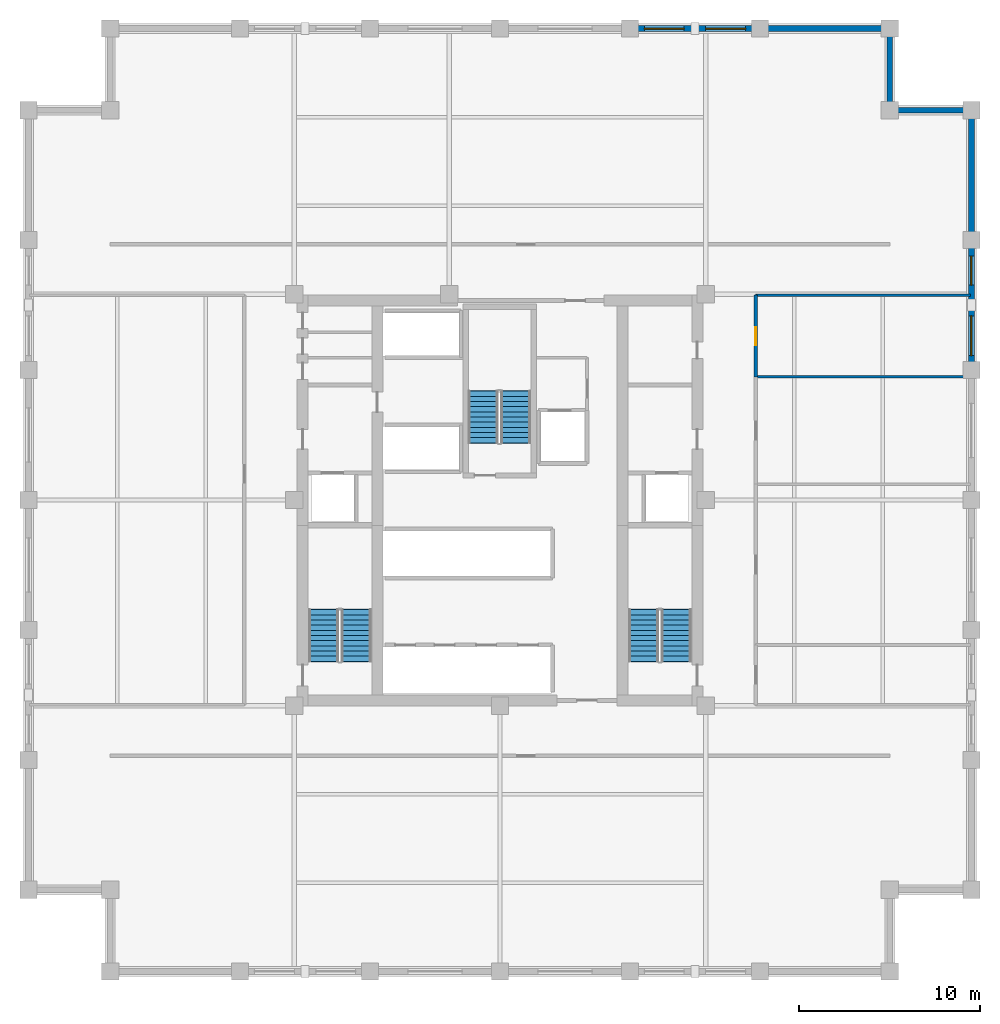
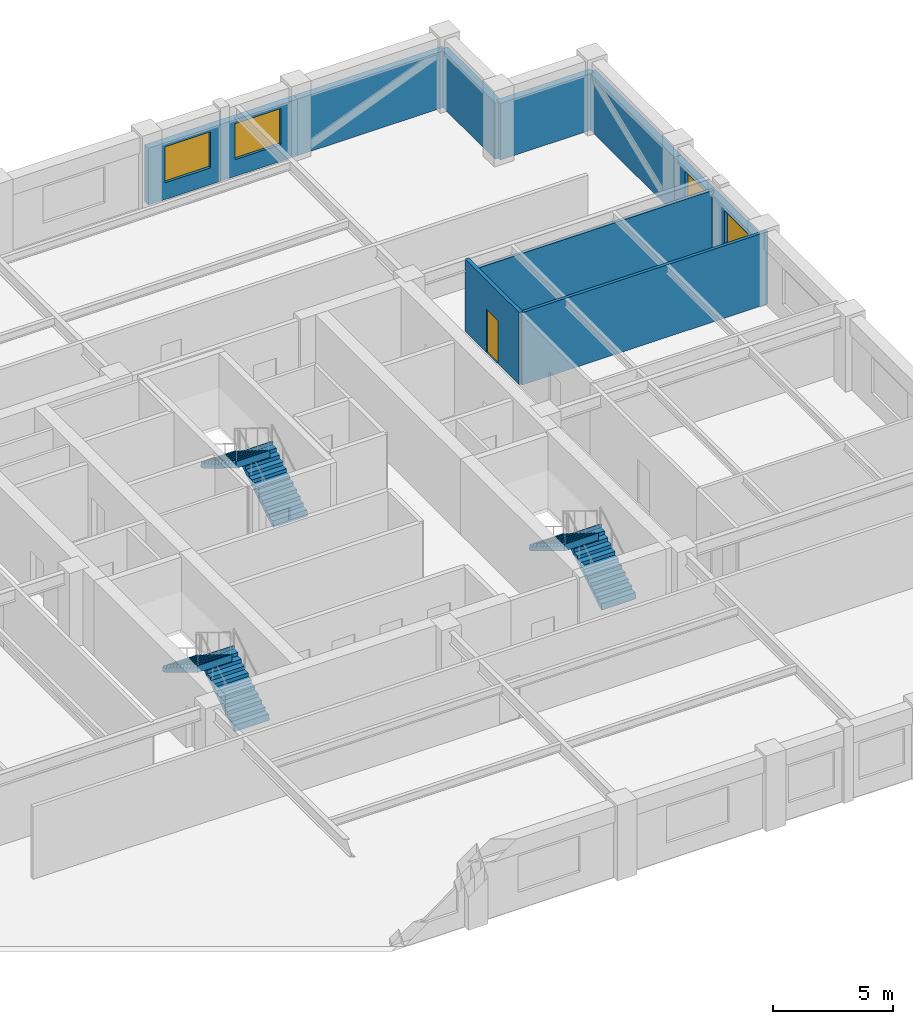
# One storey, part 5 of 6: 9 walls, 6 stair flights, 4 windows, 1 door, 5 openings, 3 elements without a shape of their own.
"""IFC4 building model written with IfcOpenShell, lengths in metres."""

import ifcopenshell
import ifcopenshell.guid

model = None  # the IFC model being written
_history = None  # IfcOwnerHistory: only IFC2X3 demands one
_inside = {}  # id of a spatial element -> (the spatial element, [elements in it])
_under = {}  # id of a project, library or spatial element -> (it, [spatial elements below it])
_declared = {}  # id of a project -> (the project, [libraries it declares])
_typed = {}  # id of a type object -> (the type object, [elements of that type])
_made_of = {}  # id of a material, layer set ... -> (it, [elements and type objects made of it])


def new_model(schema):
    """Start an empty IFC model of exactly this schema.

    Asked for "IFC4X3", IfcOpenShell would pick the latest addendum, in which some entities
    have other attributes; the version numbers below select the first issue.
    IFC2X3 requires an IfcOwnerHistory on every rooted entity: one is made here for all.
    """
    global model, _history
    if schema == "IFC4X3":
        model = ifcopenshell.file(schema_version=(4, 3, 0, 0))
    else:
        model = ifcopenshell.file(schema=schema)
    _inside.clear()
    _under.clear()
    _declared.clear()
    _typed.clear()
    _made_of.clear()
    _history = None
    if model.schema == "IFC2X3":
        org = make("IfcOrganization", Name="unknown")
        user = make(
            "IfcPersonAndOrganization",
            ThePerson=make("IfcPerson", FamilyName="unknown"),
            TheOrganization=org,
        )
        app = make(
            "IfcApplication",
            ApplicationDeveloper=org,
            Version="unknown",
            ApplicationFullName="unknown",
            ApplicationIdentifier="unknown",
        )
        _history = make(
            "IfcOwnerHistory",
            OwningUser=user,
            OwningApplication=app,
            ChangeAction="ADDED",
            CreationDate=0,
        )
    return model


def make(cls, **values):
    """One entity of the class cls with the attributes given. An attribute that is None is left unset."""
    return model.create_entity(
        cls, **{name: value for name, value in values.items() if value is not None}
    )


def rooted(cls, **values):
    """An entity with a GlobalId (a new one), such as an element, a storey or a relation."""
    return make(cls, GlobalId=ifcopenshell.guid.new(), OwnerHistory=_history, **values)


def si_unit(unit_type, name, prefix=None):
    """IfcSIUnit, for example si_unit("LENGTHUNIT", "METRE", prefix="MILLI")."""
    return make("IfcSIUnit", UnitType=unit_type, Prefix=prefix, Name=name)


def assignment(units):
    """IfcUnitAssignment: the units of a project."""
    return None if units is None else make("IfcUnitAssignment", Units=units)


def point(xyz):
    """IfcCartesianPoint."""
    return None if xyz is None else make("IfcCartesianPoint", Coordinates=xyz)


def direction(xyz):
    """IfcDirection."""
    return None if xyz is None else make("IfcDirection", DirectionRatios=xyz)


def frame(location, z_axis=None, x_axis=None):
    """IfcAxis2Placement3D, a coordinate frame: its origin and axes. An axis left out is left unset."""
    return make(
        "IfcAxis2Placement3D",
        Location=point(location),
        Axis=direction(z_axis),
        RefDirection=direction(x_axis),
    )


def frame_2d(location, x_axis=None):
    """IfcAxis2Placement2D, a coordinate frame in the plane: its origin and x axis."""
    return make(
        "IfcAxis2Placement2D", Location=point(location), RefDirection=direction(x_axis)
    )


def origin():
    """The frame at (0, 0, 0) with its axes left unset."""
    return frame((0.0, 0.0, 0.0))


def place(relative_to, where):
    """IfcLocalPlacement: puts the frame where relative to a parent placement (None: the world)."""
    return make(
        "IfcLocalPlacement", PlacementRelTo=relative_to, RelativePlacement=where
    )


def context(
    kind, dimensions, precision=None, world=None, true_north=None, identifier=None
):
    """IfcGeometricRepresentationContext, for example the 3D "Model" context."""
    return make(
        "IfcGeometricRepresentationContext",
        ContextIdentifier=identifier,
        ContextType=kind,
        CoordinateSpaceDimension=dimensions,
        Precision=precision,
        WorldCoordinateSystem=world,
        TrueNorth=true_north,
    )


def subcontext(parent, identifier, kind, view, scale=None):
    """IfcGeometricRepresentationSubContext, for example "Body" below "Model"."""
    return make(
        "IfcGeometricRepresentationSubContext",
        ContextIdentifier=identifier,
        ContextType=kind,
        ParentContext=parent,
        TargetScale=scale,
        TargetView=view,
    )


def project(units=None, contexts=None):
    """IfcProject with its units and contexts."""
    return rooted(
        "IfcProject",
        Name="project",
        RepresentationContexts=contexts,
        UnitsInContext=assignment(units),
    )


def spatial(cls, under=None, at=None, **own):
    """A site, building, storey or space (cls), placed at a placement, below another one or the project."""
    s = rooted(cls, ObjectPlacement=at, **own)
    if under is not None:
        _under.setdefault(under.id(), (under, []))[1].append(s)
    return s


def polyline(points):
    """IfcPolyline through the points."""
    return make("IfcPolyline", Points=[point(p) for p in points])


def profile(cls, at=None, kind="AREA", **sizes):
    """A parametric profile (cls). Its sizes go by their IFC names, for example OverallWidth=200.0."""
    return make(cls, ProfileType=kind, Position=at, **sizes)


def rectangle(**sizes):
    """IfcRectangleProfileDef."""
    return profile("IfcRectangleProfileDef", **sizes)


def outline(outer, holes=None, kind="AREA"):
    """IfcArbitraryClosedProfileDef: a profile drawn as a closed curve; with holes, ...WithVoids."""
    if holes is None:
        return make("IfcArbitraryClosedProfileDef", ProfileType=kind, OuterCurve=outer)
    return make(
        "IfcArbitraryProfileDefWithVoids",
        ProfileType=kind,
        OuterCurve=outer,
        InnerCurves=holes,
    )


def extrude(swept, where, along, depth):
    """IfcExtrudedAreaSolid: the profile swept, set in the frame where, extruded along a direction by depth."""
    return make(
        "IfcExtrudedAreaSolid",
        SweptArea=swept,
        Position=where,
        ExtrudedDirection=direction(along),
        Depth=depth,
    )


def shape(context_of_items, identifier, shape_type, items):
    """IfcShapeRepresentation: the items that make up one representation, for example the "Body"."""
    return make(
        "IfcShapeRepresentation",
        ContextOfItems=context_of_items,
        RepresentationIdentifier=identifier,
        RepresentationType=shape_type,
        Items=items,
    )


def material(Name=None, Category=None):
    """IfcMaterial."""
    return make("IfcMaterial", Name=Name, Category=Category)


def layer(
    of_material, thickness, ventilated=None, Name=None, Category=None, Priority=None
):
    """IfcMaterialLayer: one layer of a wall or slab, of a material (None: an air gap)."""
    return make(
        "IfcMaterialLayer",
        Material=of_material,
        LayerThickness=thickness,
        IsVentilated=ventilated,
        Name=Name,
        Category=Category,
        Priority=Priority,
    )


def layer_set(layers, Name=None):
    """IfcMaterialLayerSet."""
    return make("IfcMaterialLayerSet", MaterialLayers=layers, LayerSetName=Name)


def made_of(thing, what):
    """Note that an element or type object is made of a material, layer set ...; save() writes the relation."""
    if what is not None:
        _made_of.setdefault(what.id(), (what, []))[1].append(thing)
    return thing


def type_object(cls, material=None, **own):
    """A type object (cls), such as IfcWallType, which elements share."""
    return made_of(rooted(cls, **own), material)


def element(
    cls,
    number,
    at=None,
    inside=None,
    cuts=None,
    type_object=None,
    material=None,
    context=None,
    identifier="Body",
    shape_type=None,
    held_by="IfcProductDefinitionShape",
    body=None,
    shapes=None,
    **own,
):
    """One element of the class cls, such as IfcWall. Its Tag is "e" and its number.

    at: its placement. inside: the storey or other place that contains it. cuts: it is an
    opening in that element (IfcRelVoidsElement). A single representation is given by context,
    identifier, shape_type and body (its items); several are given by shapes. held_by: the class
    of the entity that holds the representations. save() writes the other relations.
    """
    e = rooted(cls, Tag="e%d" % number, ObjectPlacement=at, **own)
    if body is not None:
        shapes = [shape(context, identifier, shape_type, body)]
    if shapes is not None:
        e.Representation = make(held_by, Representations=shapes)
    if inside is not None:
        _inside.setdefault(inside.id(), (inside, []))[1].append(e)
    if cuts is not None:
        rooted(
            "IfcRelVoidsElement", RelatingBuildingElement=cuts, RelatedOpeningElement=e
        )
    if type_object is not None:
        _typed.setdefault(type_object.id(), (type_object, []))[1].append(e)
    return made_of(e, material)


def fill(opening, filler):
    """IfcRelFillsElement: the door or window that sits in an opening."""
    return rooted(
        "IfcRelFillsElement",
        RelatingOpeningElement=opening,
        RelatedBuildingElement=filler,
    )


def aggregate(whole, parts):
    """IfcRelAggregates: a whole, such as a stair, and the parts it consists of."""
    return rooted("IfcRelAggregates", RelatingObject=whole, RelatedObjects=parts)


def save(model, path):
    """Write the relations noted so far, then the file.

    IfcRelAggregates (storeys below a building ...), IfcRelContainedInSpatialStructure (elements
    in a storey), IfcRelDefinesByType, IfcRelAssociatesMaterial and IfcRelDeclares: one each for
    every whole, place, type object, material and project.
    """
    for whole, parts in _under.values():
        aggregate(whole, parts)
    for where, things in _inside.values():
        rooted(
            "IfcRelContainedInSpatialStructure",
            RelatedElements=things,
            RelatingStructure=where,
        )
    for kind, things in _typed.values():
        rooted("IfcRelDefinesByType", RelatedObjects=things, RelatingType=kind)
    for what, things in _made_of.values():
        rooted("IfcRelAssociatesMaterial", RelatedObjects=things, RelatingMaterial=what)
    for by, libraries in _declared.values():
        rooted("IfcRelDeclares", RelatingContext=by, RelatedDefinitions=libraries)
    model.write(path)


model = new_model("IFC4")

# Units and contexts
model_context = context("Model", 3, precision=1e-05, world=origin(), true_north=direction((0.0, 1.0)))
body_context = subcontext(model_context, "Body", "Model", "MODEL_VIEW")
ifc_project = project(units=[si_unit("LENGTHUNIT", "METRE"), si_unit("AREAUNIT", "SQUARE_METRE"), si_unit("VOLUMEUNIT", "CUBIC_METRE"), si_unit("PLANEANGLEUNIT", "RADIAN"), si_unit("MASSUNIT", "GRAM", prefix="KILO")], contexts=[model_context])

# Site, building, storey
site_placement = place(None, origin())
site = spatial("IfcSite", under=ifc_project, at=site_placement, CompositionType="ELEMENT")
building_placement = place(site_placement, origin())
building = spatial("IfcBuilding", under=site, at=building_placement, Name="Nhamokura Convention Tower", CompositionType="ELEMENT")
storey_placement = place(building_placement, frame((0.0, 0.0, 145.25)))
storey = spatial("IfcBuildingStorey", under=building, at=storey_placement, Name="L35", CompositionType="ELEMENT", Elevation=145.25)

# Wall, openings, windows
ifc_material_1 = material(Name="Bronze-pigmented precast concrete C45/55", Category="concrete")
ifc_layer_1 = layer(ifc_material_1, 0.320068359375)
ifc_layer_set_1 = layer_set([ifc_layer_1], Name="BronzePrecastSpandrel_320")
wall_type_1 = type_object("IfcWallType", Name="BronzePrecastSpandrel_320", PredefinedType="USERDEFINED", material=ifc_layer_set_1)
wall_1_placement = place(storey_placement, frame((39.166748046875, 58.0, 0.0), z_axis=(0.0, 0.0, 1.0), x_axis=(1.0, 0.0, 0.0)))
wall_1 = element("IfcWall", 1, at=wall_1_placement, inside=storey, type_object=wall_type_1, Name="L35 Masonry-Frame Wall NORTH 4", ObjectType="SPANDREL_WALL", PredefinedType="USERDEFINED", context=body_context, shape_type="SweptSolid", body=[
    extrude(rectangle(XDim=7.16650390625, YDim=0.320068359375, at=frame_2d((3.583251953125, 0.0))), origin(), (0.0, 0.0, 1.0), 2.885009765625),
])
opening_1_placement = place(wall_1_placement, frame((0.791748046875, 0.0, 0.85009765625)))
opening_1 = element("IfcOpeningElement", 2, at=opening_1_placement, cuts=wall_1, Name="Opening W-06", PredefinedType="OPENING", context=body_context, shape_type="SweptSolid", body=[
    extrude(rectangle(XDim=2.199951171875, YDim=1.8349609375, at=frame_2d((1.10009765625, 0.91748046875))), frame((0.0, 0.169921875, 0.0), z_axis=(0.0, -1.0, 0.0), x_axis=(1.0, 0.0, 0.0)), (0.0, 0.0, 1.0), 0.340087890625),
])
opening_2_placement = place(wall_1_placement, frame((4.175048828125, 0.0, 0.85009765625)))
opening_2 = element("IfcOpeningElement", 3, at=opening_2_placement, cuts=wall_1, Name="Opening W-06", PredefinedType="OPENING", context=body_context, shape_type="SweptSolid", body=[
    extrude(rectangle(XDim=2.199951171875, YDim=1.8349609375, at=frame_2d((1.10009765625, 0.91748046875))), frame((0.0, 0.169921875, 0.0), z_axis=(0.0, -1.0, 0.0), x_axis=(1.0, 0.0, 0.0)), (0.0, 0.0, 1.0), 0.340087890625),
])
ifc_material_2 = material(Name="Solar-control bronze low-E double glass", Category="glass")
window_type_1 = type_object("IfcWindowType", Name="OfficeModuleWindow_Z2_2200", PartitioningType="SINGLE_PANEL", PredefinedType="WINDOW", material=ifc_material_2)
window_1_placement = place(opening_1_placement, origin())
window_1 = element("IfcWindow", 4, at=window_1_placement, inside=storey, type_object=window_type_1, Name="L35 Facade Window NORTH 4-1", OverallHeight=1.8349609375, OverallWidth=2.199951171875, PartitioningType="SINGLE_PANEL", PredefinedType="WINDOW", context=body_context, shape_type="SweptSolid", body=[
    extrude(rectangle(XDim=2.199951171875, YDim=1.8349609375, at=frame_2d((1.10009765625, 0.91748046875))), frame((0.0, 0.030029296875, 0.0), z_axis=(0.0, -1.0, 0.0), x_axis=(1.0, 0.0, 0.0)), (0.0, 0.0, 1.0), 0.06005859375),
])
fill(opening_1, window_1)
window_2_placement = place(opening_2_placement, origin())
window_2 = element("IfcWindow", 5, at=window_2_placement, inside=storey, type_object=window_type_1, Name="L35 Facade Window NORTH 4-2", OverallHeight=1.8349609375, OverallWidth=2.199951171875, PartitioningType="SINGLE_PANEL", PredefinedType="WINDOW", context=body_context, shape_type="SweptSolid", body=[
    extrude(rectangle(XDim=2.199951171875, YDim=1.8349609375, at=frame_2d((1.10009765625, 0.91748046875))), frame((0.0, 0.030029296875, 0.0), z_axis=(0.0, -1.0, 0.0), x_axis=(1.0, 0.0, 0.0)), (0.0, 0.0, 1.0), 0.06005859375),
])
fill(opening_2, window_2)

# Wall
wall_2_placement = place(storey_placement, frame((46.333251953125, 58.0, 0.0), z_axis=(0.0, 0.0, 1.0), x_axis=(1.0, 0.0, 0.0)))
element("IfcWall", 6, at=wall_2_placement, inside=storey, type_object=wall_type_1, Name="L35 Braced-Bay Precast Wall NORTH 5", ObjectType="SPANDREL_WALL", PredefinedType="USERDEFINED", context=body_context, shape_type="SweptSolid", body=[
    extrude(rectangle(XDim=7.166748046875, YDim=0.320068359375, at=frame_2d((3.58349609375, 0.0))), origin(), (0.0, 0.0, 1.0), 2.885009765625),
])

# Wall, openings, windows
wall_3_placement = place(storey_placement, frame((58.0, 46.333251953125, 0.0), z_axis=(0.0, 0.0, 1.0), x_axis=(0.0, -1.0, 0.0)))
wall_3 = element("IfcWall", 7, at=wall_3_placement, inside=storey, type_object=wall_type_1, Name="L35 Masonry-Frame Wall EAST 4", ObjectType="SPANDREL_WALL", PredefinedType="USERDEFINED", context=body_context, shape_type="SweptSolid", body=[
    extrude(rectangle(XDim=7.16650390625, YDim=0.320068359375, at=frame_2d((3.583251953125, 0.0))), origin(), (0.0, 0.0, 1.0), 2.885009765625),
])
opening_3_placement = place(wall_3_placement, frame((0.879150390625, 0.0, 0.85009765625)))
opening_3 = element("IfcOpeningElement", 8, at=opening_3_placement, cuts=wall_3, Name="Opening W-11", PredefinedType="OPENING", context=body_context, shape_type="SweptSolid", body=[
    extrude(rectangle(XDim=1.60009765625, YDim=1.8349609375, at=frame_2d((0.800048828125, 0.91748046875))), frame((0.0, 0.169921875, 0.0), z_axis=(0.0, -1.0, 0.0), x_axis=(1.0, 0.0, 0.0)), (0.0, 0.0, 1.0), 0.340087890625),
])
opening_4_placement = place(wall_3_placement, frame((4.175048828125, 0.0, 0.85009765625)))
opening_4 = element("IfcOpeningElement", 9, at=opening_4_placement, cuts=wall_3, Name="Opening W-06", PredefinedType="OPENING", context=body_context, shape_type="SweptSolid", body=[
    extrude(rectangle(XDim=2.199951171875, YDim=1.8349609375, at=frame_2d((1.10009765625, 0.91748046875))), frame((0.0, 0.169921875, 0.0), z_axis=(0.0, -1.0, 0.0), x_axis=(1.0, 0.0, 0.0)), (0.0, 0.0, 1.0), 0.340087890625),
])
ifc_material_3 = material(Name="Solar-control bronze low-E double glass", Category="glass")
window_type_2 = type_object("IfcWindowType", Name="NotchCornerWindow_1600", PartitioningType="SINGLE_PANEL", PredefinedType="WINDOW", material=ifc_material_3)
window_3_placement = place(opening_3_placement, origin())
window_3 = element("IfcWindow", 10, at=window_3_placement, inside=storey, type_object=window_type_2, Name="L35 Facade Window EAST 4-1", OverallHeight=1.8349609375, OverallWidth=1.60009765625, PartitioningType="SINGLE_PANEL", PredefinedType="WINDOW", context=body_context, shape_type="SweptSolid", body=[
    extrude(rectangle(XDim=1.60009765625, YDim=1.8349609375, at=frame_2d((0.800048828125, 0.91748046875))), frame((0.0, 0.030029296875, 0.0), z_axis=(0.0, -1.0, 0.0), x_axis=(1.0, 0.0, 0.0)), (0.0, 0.0, 1.0), 0.06005859375),
])
fill(opening_3, window_3)
window_4_placement = place(opening_4_placement, origin())
window_4 = element("IfcWindow", 11, at=window_4_placement, inside=storey, type_object=window_type_1, Name="L35 Facade Window EAST 4-2", OverallHeight=1.8349609375, OverallWidth=2.199951171875, PartitioningType="SINGLE_PANEL", PredefinedType="WINDOW", context=body_context, shape_type="SweptSolid", body=[
    extrude(rectangle(XDim=2.199951171875, YDim=1.8349609375, at=frame_2d((1.10009765625, 0.91748046875))), frame((0.0, 0.030029296875, 0.0), z_axis=(0.0, -1.0, 0.0), x_axis=(1.0, 0.0, 0.0)), (0.0, 0.0, 1.0), 0.06005859375),
])
fill(opening_4, window_4)

# Walls
wall_4_placement = place(storey_placement, frame((58.0, 53.5, 0.0), z_axis=(0.0, 0.0, 1.0), x_axis=(0.0, -1.0, 0.0)))
element("IfcWall", 12, at=wall_4_placement, inside=storey, type_object=wall_type_1, Name="L35 Braced-Bay Precast Wall EAST 5", ObjectType="SPANDREL_WALL", PredefinedType="USERDEFINED", context=body_context, shape_type="SweptSolid", body=[
    extrude(rectangle(XDim=7.166748046875, YDim=0.320068359375, at=frame_2d((3.58349609375, 0.0))), origin(), (0.0, 0.0, 1.0), 2.885009765625),
])
for number, where, z_axis, x_axis, name in (
    (13, (53.5, 53.5, 0.0), (0.0, 0.0, 1.0), (1.0, 0.0, 0.0), "L35 Notched Corner Wall NE1"),
    (14, (53.5, 58.0, 0.0), (0.0, 0.0, 1.0), (0.0, -1.0, 0.0), "L35 Notched Corner Wall NE2"),
):
    element("IfcWall", number, at=place(storey_placement, frame(where, z_axis=z_axis, x_axis=x_axis)), inside=storey, type_object=wall_type_1, Name=name, ObjectType="SPANDREL_WALL", PredefinedType="USERDEFINED", context=body_context, shape_type="SweptSolid", body=[
        extrude(rectangle(XDim=4.5, YDim=0.320068359375, at=frame_2d((2.25, 0.0))), origin(), (0.0, 0.0, 1.0), 2.885009765625),
    ])

# Wall, opening, door
ifc_material_4 = material(Name="Fire-rated gypsum and masonry partition", Category="masonry")
ifc_layer_2 = layer(ifc_material_4, 0.179931640625)
ifc_layer_set_2 = layer_set([ifc_layer_2], Name="CorridorRatedWall_180")
wall_type_2 = type_object("IfcWallType", Name="CorridorRatedWall_180", PredefinedType="STANDARD", material=ifc_layer_set_2)
wall_5_placement = place(storey_placement, frame((46.10009765625, 38.791748046875, 0.0), z_axis=(0.0, 0.0, 1.0), x_axis=(0.0, 1.0, 0.0)))
wall_5 = element("IfcWall", 15, at=wall_5_placement, inside=storey, type_object=wall_type_2, Name="L35 Wall INT-L35-CW-E03", PredefinedType="STANDARD", context=body_context, shape_type="SweptSolid", body=[
    extrude(rectangle(XDim=4.50830078125, YDim=0.179931640625, at=frame_2d((2.254150390625, 0.0))), origin(), (0.0, 0.0, 1.0), 3.68505859375),
])
opening_5_placement = place(wall_5_placement, frame((1.754150390625, 0.0, 0.0)))
opening_5 = element("IfcOpeningElement", 16, at=opening_5_placement, cuts=wall_5, Name="Opening D-08", PredefinedType="OPENING", context=body_context, shape_type="SweptSolid", body=[
    extrude(rectangle(XDim=0.97998046875, YDim=2.199951171875, at=frame_2d((0.489990234375, 1.10009765625))), frame((0.0, 0.099853515625, 0.0), z_axis=(0.0, -1.0, 0.0), x_axis=(1.0, 0.0, 0.0)), (0.0, 0.0, 1.0), 0.199951171875),
])
ifc_material_5 = material(Name="Solid oak hardwood", Category="wood")
door_type = type_object("IfcDoorType", Name="OfficeEntryDoor_980", OperationType="NOTDEFINED", PredefinedType="DOOR", material=ifc_material_5)
door_placement = place(opening_5_placement, origin())
door = element("IfcDoor", 17, at=door_placement, inside=storey, type_object=door_type, Name="L35 Private Office E04 Door", OperationType="SINGLE_SWING_RIGHT", OverallHeight=2.199951171875, OverallWidth=0.97998046875, PredefinedType="DOOR", context=body_context, shape_type="SweptSolid", body=[
    extrude(rectangle(XDim=0.97998046875, YDim=2.199951171875, at=frame_2d((0.489990234375, 1.10009765625))), frame((0.0, 0.02490234375, 0.0), z_axis=(0.0, -1.0, 0.0), x_axis=(1.0, 0.0, 0.0)), (0.0, 0.0, 1.0), 0.050048828125),
])
fill(opening_5, door)

# Walls
ifc_material_6 = material(Name="Acoustic gypsum stud partition", Category="masonry")
ifc_layer_3 = layer(ifc_material_6, 0.14990234375)
ifc_layer_set_3 = layer_set([ifc_layer_3], Name="InteriorPartition_150")
wall_type_3 = type_object("IfcWallType", Name="InteriorPartition_150", PredefinedType="STANDARD", material=ifc_layer_set_3)
wall_6_placement = place(storey_placement, frame((46.10009765625, 43.300048828125, 0.0), z_axis=(0.0, 0.0, 1.0), x_axis=(1.0, 0.0, 0.0)))
element("IfcWall", 18, at=wall_6_placement, inside=storey, type_object=wall_type_3, Name="L35 Wall INT-L35-RWT-E", PredefinedType="STANDARD", context=body_context, shape_type="SweptSolid", body=[
    extrude(rectangle(XDim=11.83984375, YDim=0.14990234375, at=frame_2d((5.919921875, 0.0))), origin(), (0.0, 0.0, 1.0), 3.055908203125),
])
wall_7_placement = place(storey_placement, frame((46.10009765625, 38.791748046875, 0.0), z_axis=(0.0, 0.0, 1.0), x_axis=(1.0, 0.0, 0.0)))
element("IfcWall", 19, at=wall_7_placement, inside=storey, type_object=wall_type_3, Name="L35 Wall INT-L35-RW-E03", PredefinedType="STANDARD", context=body_context, shape_type="SweptSolid", body=[
    extrude(rectangle(XDim=11.83984375, YDim=0.14990234375, at=frame_2d((5.919921875, 0.0))), origin(), (0.0, 0.0, 1.0), 3.68505859375),
])

# Stair, stair flights
ifc_material_7 = material(Name="Concrete C40/50", Category="concrete")
stair_type = type_object("IfcStairType", Name="TowerCoreStair_1650", PredefinedType="HALF_TURN_STAIR", material=ifc_material_7)
stair_1_placement = place(storey_placement, origin())
stair_1 = element("IfcStair", 20, at=stair_1_placement, inside=storey, type_object=stair_type, Name="L35 West Core Smokeproof Stair ST-01", PredefinedType="HALF_TURN_STAIR")
ifc_material_8 = material(Name="Concrete C40/50", Category="concrete")
stair_flight_type = type_object("IfcStairFlightType", Name="TowerCoreStair_1650_Flight", PredefinedType="STRAIGHT", material=ifc_material_8)
stair_flight_1_placement = place(storey_placement, frame((24.074951171875, 23.10009765625, 0.0), z_axis=(0.0, 0.0, 1.0), x_axis=(0.0, 1.0, 0.0)))
stair_flight_1 = element("IfcStairFlight", 21, at=stair_flight_1_placement, type_object=stair_flight_type, Name="ST-01 flight 1", NumberOfRisers=11, NumberOfTreads=10, PredefinedType="STRAIGHT", RiserHeight=0.175, TreadLength=0.285, context=body_context, shape_type="SweptSolid", body=[
    extrude(outline(polyline([(-0.0419921875, 0.0), (0.0, 0.175048828125), (0.284912109375, 0.175048828125), (0.284912109375, 0.35009765625), (0.570068359375, 0.35009765625), (0.570068359375, 0.52490234375), (0.85498046875, 0.52490234375), (0.85498046875, 0.699951171875), (1.139892578125, 0.699951171875), (1.139892578125, 0.875), (1.425048828125, 0.875), (1.425048828125, 1.050048828125), (1.7099609375, 1.050048828125), (1.7099609375, 1.22509765625), (1.9951171875, 1.22509765625), (1.9951171875, 1.39990234375), (2.280029296875, 1.39990234375), (2.280029296875, 1.574951171875), (2.56494140625, 1.574951171875), (2.56494140625, 1.75), (2.85009765625, 1.75), (2.85009765625, 1.925048828125), (2.89208984375, 1.925048828125), (2.89208984375, 1.573974609375), (2.85009765625, 1.573974609375), (0.286376953125, 0.0), (0.02001953125, -0.1298828125), (-0.0419921875, -0.1298828125), (-0.0419921875, 0.0)])), frame((0.0, 0.824951171875, 0.0), z_axis=(0.0, -1.0, 0.0), x_axis=(1.0, 0.0, 0.0)), (0.0, 0.0, 1.0), 1.64990234375),
])
stair_flight_2_placement = place(storey_placement, frame((22.27490234375, 25.949951171875, 1.925048828125), z_axis=(0.0, 0.0, 1.0), x_axis=(0.0, -1.0, 0.0)))
stair_flight_2 = element("IfcStairFlight", 22, at=stair_flight_2_placement, type_object=stair_flight_type, Name="ST-01 flight 2", NumberOfRisers=11, NumberOfTreads=10, PredefinedType="STRAIGHT", RiserHeight=0.175, TreadLength=0.285, context=body_context, shape_type="SweptSolid", body=[
    extrude(outline(polyline([(-0.0419921875, 0.0), (0.0, 0.175048828125), (0.284912109375, 0.175048828125), (0.284912109375, 0.35009765625), (0.570068359375, 0.35009765625), (0.570068359375, 0.52490234375), (0.85498046875, 0.52490234375), (0.85498046875, 0.699951171875), (1.139892578125, 0.699951171875), (1.139892578125, 0.875), (1.425048828125, 0.875), (1.425048828125, 1.050048828125), (1.7099609375, 1.050048828125), (1.7099609375, 1.22509765625), (1.9951171875, 1.22509765625), (1.9951171875, 1.39990234375), (2.280029296875, 1.39990234375), (2.280029296875, 1.574951171875), (2.56494140625, 1.574951171875), (2.56494140625, 1.75), (2.85009765625, 1.75), (2.85009765625, 1.925048828125), (2.89208984375, 1.925048828125), (2.89208984375, 1.573974609375), (2.85009765625, 1.573974609375), (0.286376953125, 0.0), (0.02001953125, -0.1298828125), (-0.0419921875, -0.1298828125), (-0.0419921875, 0.0)])), frame((0.0, 0.824951171875, 0.0), z_axis=(0.0, -1.0, 0.0), x_axis=(1.0, 0.0, 0.0)), (0.0, 0.0, 1.0), 1.64990234375),
])
aggregate(stair_1, [stair_flight_1, stair_flight_2])

stair_2_placement = place(storey_placement, origin())
stair_2 = element("IfcStair", 23, at=stair_2_placement, inside=storey, type_object=stair_type, Name="L35 East Core Smokeproof Stair ST-02", PredefinedType="HALF_TURN_STAIR")
stair_flight_3_placement = place(storey_placement, frame((41.72509765625, 23.10009765625, 0.0), z_axis=(0.0, 0.0, 1.0), x_axis=(0.0, 1.0, 0.0)))
stair_flight_3 = element("IfcStairFlight", 24, at=stair_flight_3_placement, type_object=stair_flight_type, Name="ST-02 flight 1", NumberOfRisers=11, NumberOfTreads=10, PredefinedType="STRAIGHT", RiserHeight=0.175, TreadLength=0.285, context=body_context, shape_type="SweptSolid", body=[
    extrude(outline(polyline([(-0.0419921875, 0.0), (0.0, 0.175048828125), (0.284912109375, 0.175048828125), (0.284912109375, 0.35009765625), (0.570068359375, 0.35009765625), (0.570068359375, 0.52490234375), (0.85498046875, 0.52490234375), (0.85498046875, 0.699951171875), (1.139892578125, 0.699951171875), (1.139892578125, 0.875), (1.425048828125, 0.875), (1.425048828125, 1.050048828125), (1.7099609375, 1.050048828125), (1.7099609375, 1.22509765625), (1.9951171875, 1.22509765625), (1.9951171875, 1.39990234375), (2.280029296875, 1.39990234375), (2.280029296875, 1.574951171875), (2.56494140625, 1.574951171875), (2.56494140625, 1.75), (2.85009765625, 1.75), (2.85009765625, 1.925048828125), (2.89208984375, 1.925048828125), (2.89208984375, 1.573974609375), (2.85009765625, 1.573974609375), (0.286376953125, 0.0), (0.02001953125, -0.1298828125), (-0.0419921875, -0.1298828125), (-0.0419921875, 0.0)])), frame((0.0, 0.824951171875, 0.0), z_axis=(0.0, -1.0, 0.0), x_axis=(1.0, 0.0, 0.0)), (0.0, 0.0, 1.0), 1.64990234375),
])
stair_flight_4_placement = place(storey_placement, frame((39.925048828125, 25.949951171875, 1.925048828125), z_axis=(0.0, 0.0, 1.0), x_axis=(0.0, -1.0, 0.0)))
stair_flight_4 = element("IfcStairFlight", 25, at=stair_flight_4_placement, type_object=stair_flight_type, Name="ST-02 flight 2", NumberOfRisers=11, NumberOfTreads=10, PredefinedType="STRAIGHT", RiserHeight=0.175, TreadLength=0.285, context=body_context, shape_type="SweptSolid", body=[
    extrude(outline(polyline([(-0.0419921875, 0.0), (0.0, 0.175048828125), (0.284912109375, 0.175048828125), (0.284912109375, 0.35009765625), (0.570068359375, 0.35009765625), (0.570068359375, 0.52490234375), (0.85498046875, 0.52490234375), (0.85498046875, 0.699951171875), (1.139892578125, 0.699951171875), (1.139892578125, 0.875), (1.425048828125, 0.875), (1.425048828125, 1.050048828125), (1.7099609375, 1.050048828125), (1.7099609375, 1.22509765625), (1.9951171875, 1.22509765625), (1.9951171875, 1.39990234375), (2.280029296875, 1.39990234375), (2.280029296875, 1.574951171875), (2.56494140625, 1.574951171875), (2.56494140625, 1.75), (2.85009765625, 1.75), (2.85009765625, 1.925048828125), (2.89208984375, 1.925048828125), (2.89208984375, 1.573974609375), (2.85009765625, 1.573974609375), (0.286376953125, 0.0), (0.02001953125, -0.1298828125), (-0.0419921875, -0.1298828125), (-0.0419921875, 0.0)])), frame((0.0, 0.824951171875, 0.0), z_axis=(0.0, -1.0, 0.0), x_axis=(1.0, 0.0, 0.0)), (0.0, 0.0, 1.0), 1.64990234375),
])
aggregate(stair_2, [stair_flight_3, stair_flight_4])

stair_3_placement = place(storey_placement, origin())
stair_3 = element("IfcStair", 26, at=stair_3_placement, inside=storey, type_object=stair_type, Name="L35 North Core Smokeproof Stair ST-03", PredefinedType="HALF_TURN_STAIR")
stair_flight_5_placement = place(storey_placement, frame((32.875, 35.14990234375, 0.0), z_axis=(0.0, 0.0, 1.0), x_axis=(0.0, 1.0, 0.0)))
stair_flight_5 = element("IfcStairFlight", 27, at=stair_flight_5_placement, type_object=stair_flight_type, Name="ST-03 flight 1", NumberOfRisers=11, NumberOfTreads=10, PredefinedType="STRAIGHT", RiserHeight=0.175, TreadLength=0.285, context=body_context, shape_type="SweptSolid", body=[
    extrude(outline(polyline([(-0.0419921875, 0.0), (0.0, 0.175048828125), (0.284912109375, 0.175048828125), (0.284912109375, 0.35009765625), (0.570068359375, 0.35009765625), (0.570068359375, 0.52490234375), (0.85498046875, 0.52490234375), (0.85498046875, 0.699951171875), (1.139892578125, 0.699951171875), (1.139892578125, 0.875), (1.425048828125, 0.875), (1.425048828125, 1.050048828125), (1.7099609375, 1.050048828125), (1.7099609375, 1.22509765625), (1.9951171875, 1.22509765625), (1.9951171875, 1.39990234375), (2.280029296875, 1.39990234375), (2.280029296875, 1.574951171875), (2.56494140625, 1.574951171875), (2.56494140625, 1.75), (2.85009765625, 1.75), (2.85009765625, 1.925048828125), (2.89208984375, 1.925048828125), (2.89208984375, 1.573974609375), (2.85009765625, 1.573974609375), (0.286376953125, 0.0), (0.02001953125, -0.1298828125), (-0.0419921875, -0.1298828125), (-0.0419921875, 0.0)])), frame((0.0, 0.824951171875, 0.0), z_axis=(0.0, -1.0, 0.0), x_axis=(1.0, 0.0, 0.0)), (0.0, 0.0, 1.0), 1.64990234375),
])
stair_flight_6_placement = place(storey_placement, frame((31.074951171875, 38.0, 1.925048828125), z_axis=(0.0, 0.0, 1.0), x_axis=(0.0, -1.0, 0.0)))
stair_flight_6 = element("IfcStairFlight", 28, at=stair_flight_6_placement, type_object=stair_flight_type, Name="ST-03 flight 2", NumberOfRisers=11, NumberOfTreads=10, PredefinedType="STRAIGHT", RiserHeight=0.175, TreadLength=0.285, context=body_context, shape_type="SweptSolid", body=[
    extrude(outline(polyline([(-0.0419921875, 0.0), (0.0, 0.175048828125), (0.284912109375, 0.175048828125), (0.284912109375, 0.35009765625), (0.570068359375, 0.35009765625), (0.570068359375, 0.52490234375), (0.85498046875, 0.52490234375), (0.85498046875, 0.699951171875), (1.139892578125, 0.699951171875), (1.139892578125, 0.875), (1.425048828125, 0.875), (1.425048828125, 1.050048828125), (1.7099609375, 1.050048828125), (1.7099609375, 1.22509765625), (1.9951171875, 1.22509765625), (1.9951171875, 1.39990234375), (2.280029296875, 1.39990234375), (2.280029296875, 1.574951171875), (2.56494140625, 1.574951171875), (2.56494140625, 1.75), (2.85009765625, 1.75), (2.85009765625, 1.925048828125), (2.89208984375, 1.925048828125), (2.89208984375, 1.573974609375), (2.85009765625, 1.573974609375), (0.286376953125, 0.0), (0.02001953125, -0.1298828125), (-0.0419921875, -0.1298828125), (-0.0419921875, 0.0)])), frame((0.0, 0.824951171875, 0.0), z_axis=(0.0, -1.0, 0.0), x_axis=(1.0, 0.0, 0.0)), (0.0, 0.0, 1.0), 1.64990234375),
])
aggregate(stair_3, [stair_flight_5, stair_flight_6])

save(model, "model.ifc")
